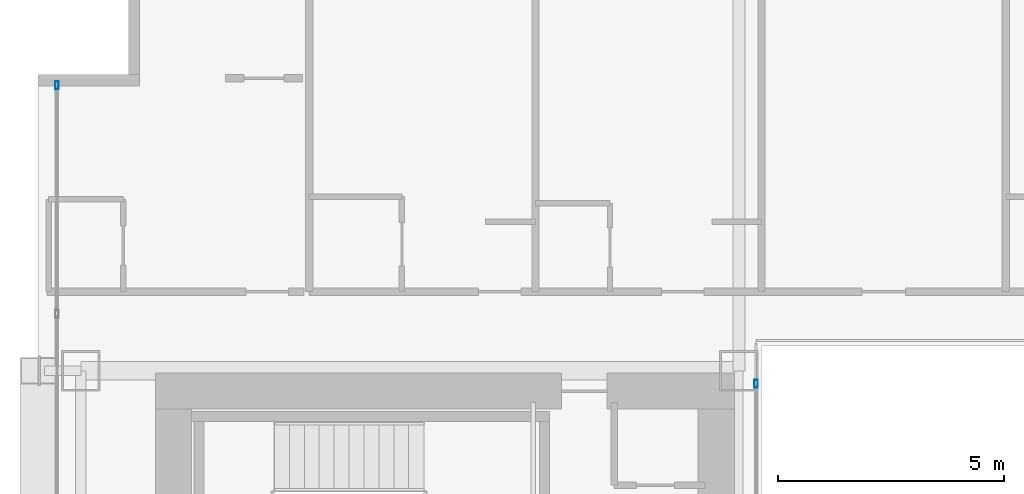
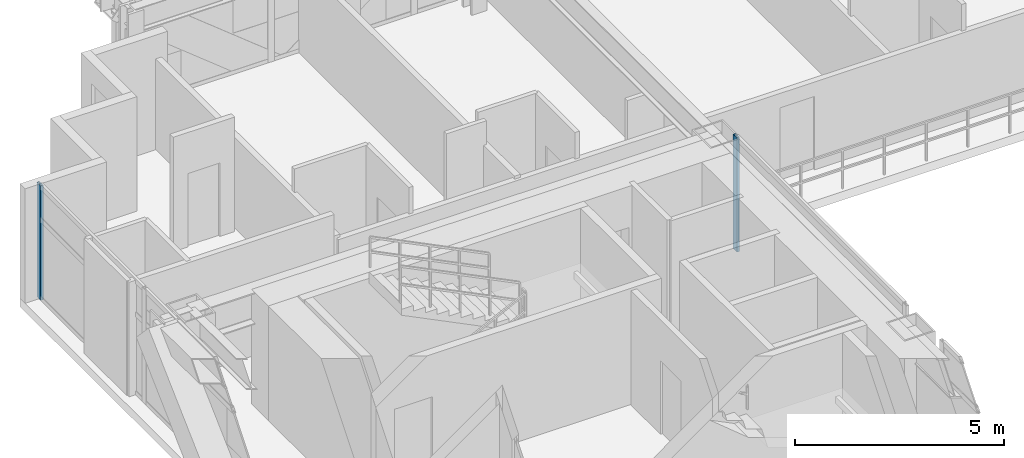
# One storey, part 20 of 41: 2 members, 2 elements without a shape of their own.
"""IFC4 building model written with IfcOpenShell, lengths in metres."""

from ifc_helpers import new_model, si_unit, direction, frame, origin, origin_2d, place, context, subcontext, project, spatial, hollow_rectangle, extrude, source, transform, mapped, material, layer, layer_set, material_profile, profile_set, type_object, element, aggregate, save


model = new_model("IFC4")

# Units and contexts
model_context = context("Model", 3, precision=1e-05, world=origin(), true_north=direction((0.0, 1.0)))
body_context = subcontext(model_context, "Body", "Model", "MODEL_VIEW")
ifc_project = project(units=[si_unit("LENGTHUNIT", "METRE"), si_unit("AREAUNIT", "SQUARE_METRE"), si_unit("VOLUMEUNIT", "CUBIC_METRE"), si_unit("PLANEANGLEUNIT", "RADIAN"), si_unit("MASSUNIT", "GRAM", prefix="KILO")], contexts=[model_context])

# Site, building, storey
site_placement = place(None, origin())
site = spatial("IfcSite", under=ifc_project, at=site_placement, CompositionType="ELEMENT")
building_placement = place(site_placement, origin())
building = spatial("IfcBuilding", under=site, at=building_placement, Name="Ocotamira Hotel", CompositionType="ELEMENT")
storey_placement = place(building_placement, frame((0.0, 0.0, 67.199951171875)))
storey = spatial("IfcBuildingStorey", under=building, at=storey_placement, Name="L16", CompositionType="ELEMENT", Elevation=67.199951171875)

# Curtain wall, member
ifc_material_1 = material(Name="Anodised pale-metal aluminium and solar glass", Category="aluminium")
ifc_layer_1 = layer(ifc_material_1, 0.179931640625)
ifc_layer_set_1 = layer_set([ifc_layer_1], Name="Anodised pale-metal aluminium and solar glass")
curtain_wall_type_1 = type_object("IfcCurtainWallType", Name="CW-SYS2-Z1", PredefinedType="NOTDEFINED", material=ifc_layer_set_1)
curtain_wall_1_placement = place(storey_placement, origin())
curtain_wall_1 = element("IfcCurtainWall", 1, at=curtain_wall_1_placement, inside=storey, type_object=curtain_wall_type_1, Name="L16 Curtain Wall CW-2 CW-L16-W", PredefinedType="NOTDEFINED")
ifc_material_2 = material(Name="Anodised pale-metal aluminium 6063-T6", Category="aluminium")
ifc_material_profile = material_profile(ifc_material_2, hollow_rectangle(XDim=0.080078125, YDim=0.179931640625, WallThickness=0.006103515625, at=origin_2d()), Name="HSS180X80X6")
ifc_profile_set = profile_set([ifc_material_profile], Name="Anodised pale-metal aluminium 6063-T6")
member_type = type_object("IfcMemberType", Name="CWM-180X75", PredefinedType="MULLION", material=ifc_profile_set)
shared_shape = source(origin(), body_context, "Body", "SweptSolid", [
    extrude(hollow_rectangle(XDim=0.080078125, YDim=0.179931640625, WallThickness=0.006103515625, at=origin_2d()), origin(), (0.0, 0.0, 1.0), 3.35009765625),
])
member_1_placement = place(storey_placement, frame((8.419921875, 43.760009765625, 0.0), z_axis=(0.0, 0.0, 1.0), x_axis=(-1.0, 0.0, 0.0)))
member_1 = element("IfcMember", 2, at=member_1_placement, type_object=member_type, Name="CW-2 mullion 8", PredefinedType="MULLION", context=body_context, shape_type="MappedRepresentation", body=[
    mapped(shared_shape, transform((0.0, 0.0, 0.0), scale=1.0)),
])
aggregate(curtain_wall_1, [member_1])

ifc_layer_2 = layer(ifc_material_1, 0.159912109375)
ifc_layer_set_2 = layer_set([ifc_layer_2], Name="Anodised pale-metal aluminium and solar glass")
curtain_wall_type_2 = type_object("IfcCurtainWallType", Name="CW-SYS6-ATR", PredefinedType="NOTDEFINED", material=ifc_layer_set_2)
curtain_wall_2_placement = place(storey_placement, origin())
curtain_wall_2 = element("IfcCurtainWall", 3, at=curtain_wall_2_placement, inside=storey, type_object=curtain_wall_type_2, Name="L16 Curtain Wall CW-6 CW-L16-ATRW2", PredefinedType="NOTDEFINED")
member_2_placement = place(storey_placement, frame((23.8798828125, 37.159912109375, 0.0), z_axis=(0.0, 0.0, 1.0), x_axis=(-1.0, 0.0, 0.0)))
member_2 = element("IfcMember", 4, at=member_2_placement, type_object=member_type, Name="CW-6 mullion 2", PredefinedType="MULLION", context=body_context, shape_type="MappedRepresentation", body=[
    mapped(shared_shape, transform((0.0, 0.0, 0.0), scale=1.0)),
])
aggregate(curtain_wall_2, [member_2])

save(model, "model.ifc")
